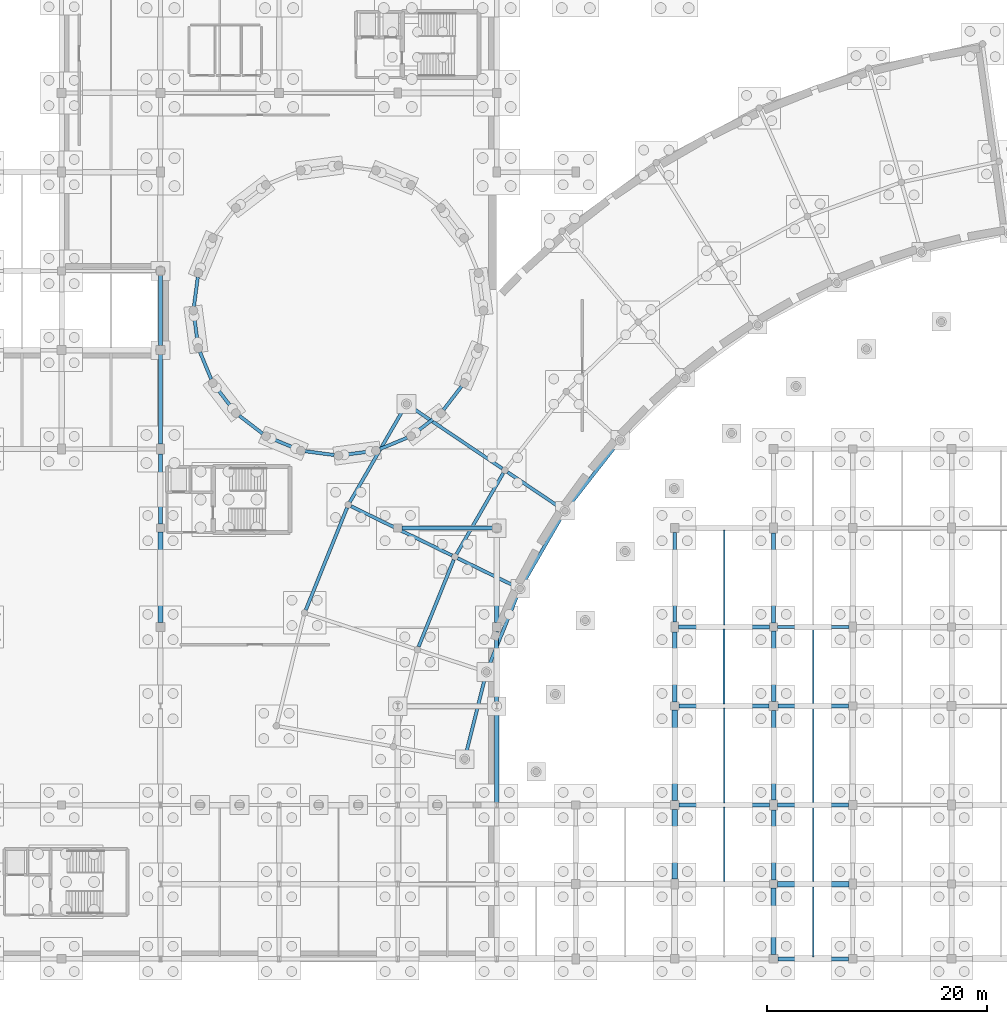
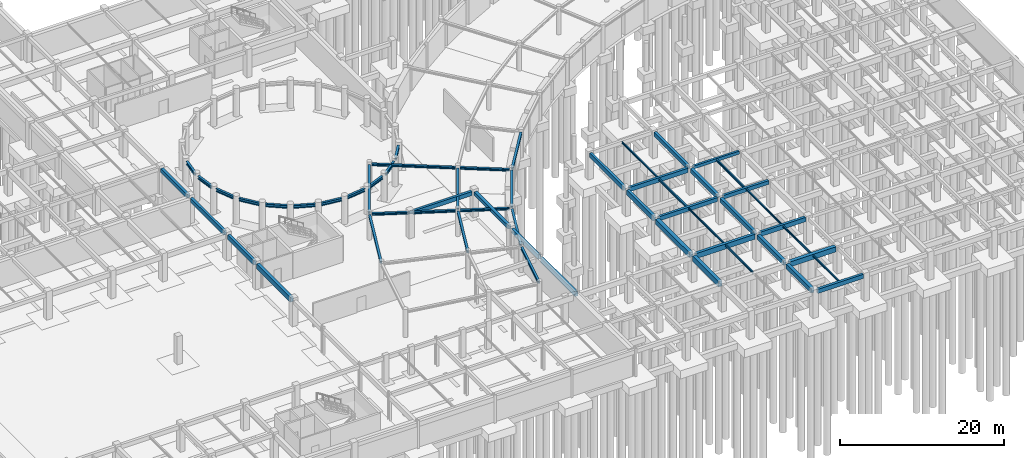
# One storey, part 20 of 42: 56 beams.
"""IFC4 building model written with IfcOpenShell, lengths in metres."""

from ifc_helpers import new_model, si_unit, direction, frame, origin, origin_2d, place, context, subcontext, project, spatial, rectangle, i_section, extrude, material, material_profile, profile_set, type_object, element, save


model = new_model("IFC4")

# Units and contexts
model_context = context("Model", 3, precision=1e-05, world=origin(), true_north=direction((0.0, 1.0)))
body_context = subcontext(model_context, "Body", "Model", "MODEL_VIEW")
ifc_project = project(units=[si_unit("LENGTHUNIT", "METRE"), si_unit("AREAUNIT", "SQUARE_METRE"), si_unit("VOLUMEUNIT", "CUBIC_METRE"), si_unit("PLANEANGLEUNIT", "RADIAN"), si_unit("MASSUNIT", "GRAM", prefix="KILO")], contexts=[model_context])

# Site, building, storey
site_placement = place(None, origin())
site = spatial("IfcSite", under=ifc_project, at=site_placement, CompositionType="ELEMENT")
building_placement = place(site_placement, origin())
building = spatial("IfcBuilding", under=site, at=building_placement, Name="Clarverna Civic Hall", CompositionType="ELEMENT")
storey_placement = place(building_placement, frame((0.0, 0.0, -4.199951171875)))
storey = spatial("IfcBuildingStorey", under=building, at=storey_placement, Name="B01", CompositionType="ELEMENT", Elevation=-4.199951171875)

# Beams
ifc_material_1 = material(Name="Concrete C35/45", Category="concrete")
ifc_material_profile_1 = material_profile(ifc_material_1, rectangle(XDim=0.5, YDim=0.800048828125, at=origin_2d()), Name="RC 500x800")
ifc_profile_set_1 = profile_set([ifc_material_profile_1], Name="Concrete C35/45")
beam_type_1 = type_object("IfcBeamType", Name="B-RC14", PredefinedType="BEAM", material=ifc_profile_set_1)
beam_1_placement = place(storey_placement, frame((113.39990234375, 7.25, 3.550048828125), z_axis=(0.0, 1.0, 0.0), x_axis=(-1.0, 0.0, 0.0)))
element("IfcBeam", 1, at=beam_1_placement, inside=storey, type_object=beam_type_1, Name="B-RC14-013", PredefinedType="BEAM", context=body_context, shape_type="SweptSolid", body=[
    extrude(rectangle(XDim=0.5, YDim=0.800048828125, at=origin_2d()), origin(), (0.0, 0.0, 1.0), 6.35009765625),
])
ifc_material_profile_2 = material_profile(ifc_material_1, rectangle(XDim=0.5, YDim=0.75, at=origin_2d()), Name="RC 500x750")
ifc_profile_set_2 = profile_set([ifc_material_profile_2], Name="Concrete C35/45")
beam_type_2 = type_object("IfcBeamType", Name="B-RC15", PredefinedType="BEAM", material=ifc_profile_set_2)
beam_2_placement = place(storey_placement, frame((122.77490234375, 6.800048828125, 3.574951171875), z_axis=(1.0, 0.0, 0.0), x_axis=(0.0, 1.0, 0.0)))
element("IfcBeam", 2, at=beam_2_placement, inside=storey, type_object=beam_type_2, Name="B-RC15-001", PredefinedType="BEAM", context=body_context, shape_type="SweptSolid", body=[
    extrude(rectangle(XDim=0.5, YDim=0.75, at=origin_2d()), origin(), (0.0, 0.0, 1.0), 6.47509765625),
])
beam_3_placement = place(storey_placement, frame((113.39990234375, 14.39990234375, 3.574951171875), z_axis=(0.0, 1.0, 0.0), x_axis=(-1.0, 0.0, 0.0)))
element("IfcBeam", 3, at=beam_3_placement, inside=storey, type_object=beam_type_2, Name="B-RC15-013", PredefinedType="BEAM", context=body_context, shape_type="SweptSolid", body=[
    extrude(rectangle(XDim=0.5, YDim=0.75, at=origin_2d()), origin(), (0.0, 0.0, 1.0), 8.22509765625),
])
ifc_material_profile_3 = material_profile(ifc_material_1, rectangle(XDim=0.39990234375, YDim=0.75, at=origin_2d()), Name="RC 400x750")
ifc_profile_set_3 = profile_set([ifc_material_profile_3], Name="Concrete C35/45")
beam_type_3 = type_object("IfcBeamType", Name="B-RC16", PredefinedType="BEAM", material=ifc_profile_set_3)
beam_4_placement = place(storey_placement, frame((113.800048828125, 14.0, 3.574951171875), z_axis=(1.0, 0.0, 0.0), x_axis=(0.0, 1.0, 0.0)))
element("IfcBeam", 4, at=beam_4_placement, inside=storey, type_object=beam_type_3, Name="B-RC16-002", PredefinedType="BEAM", context=body_context, shape_type="SweptSolid", body=[
    extrude(rectangle(XDim=0.39990234375, YDim=0.75, at=origin_2d()), origin(), (0.0, 0.0, 1.0), 8.25),
])
beam_5_placement = place(storey_placement, frame((113.39990234375, 23.375, 3.574951171875), z_axis=(0.0, 1.0, 0.0), x_axis=(-1.0, 0.0, 0.0)))
element("IfcBeam", 5, at=beam_5_placement, inside=storey, type_object=beam_type_3, Name="B-RC16-013", PredefinedType="BEAM", context=body_context, shape_type="SweptSolid", body=[
    extrude(rectangle(XDim=0.39990234375, YDim=0.75, at=origin_2d()), origin(), (0.0, 0.0, 1.0), 6.375),
])
ifc_material_profile_4 = material_profile(ifc_material_1, rectangle(XDim=0.35009765625, YDim=0.64990234375, at=origin_2d()), Name="RC 350x650")
ifc_profile_set_4 = profile_set([ifc_material_profile_4], Name="Concrete C35/45")
beam_type_4 = type_object("IfcBeamType", Name="B-RC17", PredefinedType="BEAM", material=ifc_profile_set_4)
beam_6_placement = place(storey_placement, frame((122.75, 14.0, 3.625), z_axis=(1.0, 0.0, 0.0), x_axis=(0.0, 1.0, 0.0)))
element("IfcBeam", 6, at=beam_6_placement, inside=storey, type_object=beam_type_4, Name="B-RC17-002", PredefinedType="BEAM", context=body_context, shape_type="SweptSolid", body=[
    extrude(rectangle(XDim=0.35009765625, YDim=0.64990234375, at=origin_2d()), origin(), (0.0, 0.0, 1.0), 6.449951171875),
])
beam_7_placement = place(storey_placement, frame((113.75, 30.199951171875, 3.625), z_axis=(1.0, 0.0, 0.0), x_axis=(0.0, 1.0, 0.0)))
element("IfcBeam", 7, at=beam_7_placement, inside=storey, type_object=beam_type_4, Name="B-RC17-003", PredefinedType="BEAM", context=body_context, shape_type="SweptSolid", body=[
    extrude(rectangle(XDim=0.35009765625, YDim=0.64990234375, at=origin_2d()), origin(), (0.0, 0.0, 1.0), 8.27490234375),
])
beam_8_placement = place(storey_placement, frame((113.39990234375, 30.64990234375, 3.625), z_axis=(0.0, 1.0, 0.0), x_axis=(-1.0, 0.0, 0.0)))
element("IfcBeam", 8, at=beam_8_placement, inside=storey, type_object=beam_type_4, Name="B-RC17-013", PredefinedType="BEAM", context=body_context, shape_type="SweptSolid", body=[
    extrude(rectangle(XDim=0.35009765625, YDim=0.64990234375, at=origin_2d()), origin(), (0.0, 0.0, 1.0), 8.150146484375),
])
ifc_material_profile_5 = material_profile(ifc_material_1, rectangle(XDim=0.300048828125, YDim=0.449951171875, at=origin_2d()), Name="RC 300x450")
ifc_profile_set_5 = profile_set([ifc_material_profile_5], Name="Concrete C35/45")
beam_type_5 = type_object("IfcBeamType", Name="B-RC18", PredefinedType="BEAM", material=ifc_profile_set_5)
beam_9_placement = place(storey_placement, frame((122.77490234375, 30.199951171875, 3.724853515625), z_axis=(1.0, 0.0, 0.0), x_axis=(0.0, 1.0, 0.0)))
element("IfcBeam", 9, at=beam_9_placement, inside=storey, type_object=beam_type_5, Name="B-RC18-003", PredefinedType="BEAM", context=body_context, shape_type="SweptSolid", body=[
    extrude(rectangle(XDim=0.300048828125, YDim=0.449951171875, at=origin_2d()), origin(), (0.0, 0.0, 1.0), 6.47509765625),
])
ifc_material_profile_6 = material_profile(ifc_material_1, rectangle(XDim=0.449951171875, YDim=0.699951171875, at=origin_2d()), Name="RC 450x700")
ifc_profile_set_6 = profile_set([ifc_material_profile_6], Name="Concrete C35/45")
beam_type_6 = type_object("IfcBeamType", Name="B-RC4", PredefinedType="BEAM", material=ifc_profile_set_6)
beam_10_placement = place(storey_placement, frame((122.39990234375, 0.39990234375, 3.599853515625), z_axis=(0.0, 1.0, 0.0), x_axis=(-1.0, 0.0, 0.0)))
element("IfcBeam", 10, at=beam_10_placement, inside=storey, type_object=beam_type_6, Name="B-RC4-013", PredefinedType="BEAM", context=body_context, shape_type="SweptSolid", body=[
    extrude(rectangle(XDim=0.449951171875, YDim=0.699951171875, at=origin_2d()), origin(), (0.0, 0.0, 1.0), 6.025146484375),
])
ifc_material_profile_7 = material_profile(ifc_material_1, rectangle(XDim=0.39990234375, YDim=0.699951171875, at=origin_2d()), Name="RC 400x700")
ifc_profile_set_7 = profile_set([ifc_material_profile_7], Name="Concrete C35/45")
beam_type_7 = type_object("IfcBeamType", Name="B-RC5", PredefinedType="BEAM", material=ifc_profile_set_7)
beam_11_placement = place(storey_placement, frame((122.39990234375, 7.175048828125, 3.599853515625), z_axis=(0.0, 1.0, 0.0), x_axis=(-1.0, 0.0, 0.0)))
element("IfcBeam", 11, at=beam_11_placement, inside=storey, type_object=beam_type_7, Name="B-RC5-014", PredefinedType="BEAM", context=body_context, shape_type="SweptSolid", body=[
    extrude(rectangle(XDim=0.39990234375, YDim=0.699951171875, at=origin_2d()), origin(), (0.0, 0.0, 1.0), 6.375),
])
ifc_material_profile_8 = material_profile(ifc_material_1, rectangle(XDim=0.39990234375, YDim=0.64990234375, at=origin_2d()), Name="RC 400x650")
ifc_profile_set_8 = profile_set([ifc_material_profile_8], Name="Concrete C35/45")
beam_type_8 = type_object("IfcBeamType", Name="B-RC6", PredefinedType="BEAM", material=ifc_profile_set_8)
beam_12_placement = place(storey_placement, frame((122.39990234375, 14.449951171875, 3.625), z_axis=(0.0, 1.0, 0.0), x_axis=(-1.0, 0.0, 0.0)))
element("IfcBeam", 12, at=beam_12_placement, inside=storey, type_object=beam_type_8, Name="B-RC6-012", PredefinedType="BEAM", context=body_context, shape_type="SweptSolid", body=[
    extrude(rectangle(XDim=0.39990234375, YDim=0.64990234375, at=origin_2d()), origin(), (0.0, 0.0, 1.0), 8.150146484375),
])
ifc_material_profile_9 = material_profile(ifc_material_1, rectangle(XDim=0.39990234375, YDim=0.60009765625, at=origin_2d()), Name="RC 400x600")
ifc_profile_set_9 = profile_set([ifc_material_profile_9], Name="Concrete C35/45")
beam_type_9 = type_object("IfcBeamType", Name="B-RC7", PredefinedType="BEAM", material=ifc_profile_set_9)
beam_13_placement = place(storey_placement, frame((122.39990234375, 23.39990234375, 3.64990234375), z_axis=(0.0, 1.0, 0.0), x_axis=(-1.0, 0.0, 0.0)))
element("IfcBeam", 13, at=beam_13_placement, inside=storey, type_object=beam_type_9, Name="B-RC7-013", PredefinedType="BEAM", context=body_context, shape_type="SweptSolid", body=[
    extrude(rectangle(XDim=0.39990234375, YDim=0.60009765625, at=origin_2d()), origin(), (0.0, 0.0, 1.0), 6.425048828125),
])
ifc_material_profile_10 = material_profile(ifc_material_1, rectangle(XDim=0.35009765625, YDim=0.60009765625, at=origin_2d()), Name="RC 350x600")
ifc_profile_set_10 = profile_set([ifc_material_profile_10], Name="Concrete C35/45")
beam_type_10 = type_object("IfcBeamType", Name="B-RC8", PredefinedType="BEAM", material=ifc_profile_set_10)
beam_14_placement = place(storey_placement, frame((113.77490234375, 23.0, 3.64990234375), z_axis=(1.0, 0.0, 0.0), x_axis=(0.0, 1.0, 0.0)))
element("IfcBeam", 14, at=beam_14_placement, inside=storey, type_object=beam_type_10, Name="B-RC8-002", PredefinedType="BEAM", context=body_context, shape_type="SweptSolid", body=[
    extrude(rectangle(XDim=0.35009765625, YDim=0.60009765625, at=origin_2d()), origin(), (0.0, 0.0, 1.0), 8.22509765625),
])
beam_15_placement = place(storey_placement, frame((88.574951171875, 39.199951171875, 3.5400390625), z_axis=(1.0, 0.0, 0.0), x_axis=(0.0, 1.0, 0.0)))
element("IfcBeam", 15, at=beam_15_placement, inside=storey, type_object=beam_type_10, Name="B-RC8-003", PredefinedType="BEAM", context=body_context, shape_type="SweptSolid", body=[
    extrude(rectangle(XDim=0.35009765625, YDim=0.60009765625, at=origin_2d()), origin(), (0.0, 0.0, 1.0), 8.25),
])
beam_16_placement = place(storey_placement, frame((122.39990234375, 30.574951171875, 3.64990234375), z_axis=(0.0, 1.0, 0.0), x_axis=(-1.0, 0.0, 0.0)))
element("IfcBeam", 16, at=beam_16_placement, inside=storey, type_object=beam_type_10, Name="B-RC8-013", PredefinedType="BEAM", context=body_context, shape_type="SweptSolid", body=[
    extrude(rectangle(XDim=0.35009765625, YDim=0.60009765625, at=origin_2d()), origin(), (0.0, 0.0, 1.0), 8.175048828125),
])
ifc_material_profile_11 = material_profile(ifc_material_1, rectangle(XDim=0.35009765625, YDim=0.550048828125, at=origin_2d()), Name="RC 350x550")
ifc_profile_set_11 = profile_set([ifc_material_profile_11], Name="Concrete C35/45")
beam_type_11 = type_object("IfcBeamType", Name="B-RC9", PredefinedType="BEAM", material=ifc_profile_set_11)
beam_17_placement = place(storey_placement, frame((122.800048828125, 23.0, 3.675048828125), z_axis=(1.0, 0.0, 0.0), x_axis=(0.0, 1.0, 0.0)))
element("IfcBeam", 17, at=beam_17_placement, inside=storey, type_object=beam_type_11, Name="B-RC9-003", PredefinedType="BEAM", context=body_context, shape_type="SweptSolid", body=[
    extrude(rectangle(XDim=0.35009765625, YDim=0.550048828125, at=origin_2d()), origin(), (0.0, 0.0, 1.0), 6.425048828125),
])
ifc_material_profile_12 = material_profile(ifc_material_1, rectangle(XDim=0.419921875, YDim=0.719970703125, at=origin_2d()), Name="RC 420x720")
ifc_profile_set_12 = profile_set([ifc_material_profile_12], Name="Concrete C35/45")
beam_type_12 = type_object("IfcBeamType", Name="B-SP1", PredefinedType="SPANDREL", material=ifc_profile_set_12)
beam_18_placement = place(storey_placement, frame((66.60009765625, 30.60009765625, 3.47998046875), z_axis=(0.0, 1.0, 0.0), x_axis=(-1.0, 0.0, 0.0)))
element("IfcBeam", 18, at=beam_18_placement, inside=storey, type_object=beam_type_12, Name="B-SP1-023", PredefinedType="SPANDREL", context=body_context, shape_type="SweptSolid", body=[
    extrude(rectangle(XDim=0.419921875, YDim=0.719970703125, at=origin_2d()), origin(), (0.0, 0.0, 1.0), 8.224853515625),
])
ifc_material_profile_13 = material_profile(ifc_material_1, rectangle(XDim=0.3798828125, YDim=0.679931640625, at=origin_2d()), Name="RC 380x680")
ifc_profile_set_13 = profile_set([ifc_material_profile_13], Name="Concrete C35/45")
beam_type_13 = type_object("IfcBeamType", Name="B-SP2", PredefinedType="SPANDREL", material=ifc_profile_set_13)
beam_19_placement = place(storey_placement, frame((66.60009765625, 39.574951171875, 3.5), z_axis=(0.0, 1.0, 0.0), x_axis=(-1.0, 0.0, 0.0)))
element("IfcBeam", 19, at=beam_19_placement, inside=storey, type_object=beam_type_13, Name="B-SP2-023", PredefinedType="SPANDREL", context=body_context, shape_type="SweptSolid", body=[
    extrude(rectangle(XDim=0.3798828125, YDim=0.679931640625, at=origin_2d()), origin(), (0.0, 0.0, 1.0), 6.375),
])
beam_20_placement = place(storey_placement, frame((97.199951171875, 14.25, 3.5), z_axis=(0.0, 1.0, 0.0), x_axis=(-1.0, 0.0, 0.0)))
element("IfcBeam", 20, at=beam_20_placement, inside=storey, type_object=beam_type_13, Name="B-SP2-026", PredefinedType="SPANDREL", context=body_context, shape_type="SweptSolid", body=[
    extrude(rectangle(XDim=0.3798828125, YDim=0.679931640625, at=origin_2d()), origin(), (0.0, 0.0, 1.0), 8.5),
])
ifc_material_profile_14 = material_profile(ifc_material_1, rectangle(XDim=0.360107421875, YDim=0.6201171875, at=origin_2d()), Name="RC 360x620")
ifc_profile_set_14 = profile_set([ifc_material_profile_14], Name="Concrete C35/45")
beam_type_14 = type_object("IfcBeamType", Name="B-SP3", PredefinedType="SPANDREL", material=ifc_profile_set_14)
beam_21_placement = place(storey_placement, frame((122.800048828125, 0.0, 3.639892578125), z_axis=(1.0, 0.0, 0.0), x_axis=(0.0, 1.0, 0.0)))
element("IfcBeam", 21, at=beam_21_placement, inside=storey, type_object=beam_type_14, Name="B-SP3-004", PredefinedType="SPANDREL", context=body_context, shape_type="SweptSolid", body=[
    extrude(rectangle(XDim=0.360107421875, YDim=0.6201171875, at=origin_2d()), origin(), (0.0, 0.0, 1.0), 6.425048828125),
])
beam_22_placement = place(storey_placement, frame((66.60009765625, 46.85009765625, 3.530029296875), z_axis=(0.0, 1.0, 0.0), x_axis=(-1.0, 0.0, 0.0)))
element("IfcBeam", 22, at=beam_22_placement, inside=storey, type_object=beam_type_14, Name="B-SP3-023", PredefinedType="SPANDREL", context=body_context, shape_type="SweptSolid", body=[
    extrude(rectangle(XDim=0.360107421875, YDim=0.6201171875, at=origin_2d()), origin(), (0.0, 0.0, 1.0), 8.14990234375),
])
beam_23_placement = place(storey_placement, frame((97.199951171875, 23.25, 3.530029296875), z_axis=(0.0, 1.0, 0.0), x_axis=(-1.0, 0.0, 0.0)))
element("IfcBeam", 23, at=beam_23_placement, inside=storey, type_object=beam_type_14, Name="B-SP3-026", PredefinedType="SPANDREL", context=body_context, shape_type="SweptSolid", body=[
    extrude(rectangle(XDim=0.360107421875, YDim=0.6201171875, at=origin_2d()), origin(), (0.0, 0.0, 1.0), 6.550048828125),
])
ifc_material_profile_15 = material_profile(ifc_material_1, rectangle(XDim=0.39990234375, YDim=0.56005859375, at=origin_2d()), Name="RC 400x560")
ifc_profile_set_15 = profile_set([ifc_material_profile_15], Name="Concrete C35/45")
beam_type_15 = type_object("IfcBeamType", Name="B-SP4", PredefinedType="SPANDREL", material=ifc_profile_set_15)
beam_24_placement = place(storey_placement, frame((66.60009765625, 55.800048828125, 3.56005859375), z_axis=(0.0, 1.0, 0.0), x_axis=(-1.0, 0.0, 0.0)))
element("IfcBeam", 24, at=beam_24_placement, inside=storey, type_object=beam_type_15, Name="B-SP4-023", PredefinedType="SPANDREL", context=body_context, shape_type="SweptSolid", body=[
    extrude(rectangle(XDim=0.39990234375, YDim=0.56005859375, at=origin_2d()), origin(), (0.0, 0.0, 1.0), 6.425048828125),
])
beam_25_placement = place(storey_placement, frame((97.199951171875, 30.60009765625, 3.56005859375), z_axis=(0.0, 1.0, 0.0), x_axis=(-1.0, 0.0, 0.0)))
element("IfcBeam", 25, at=beam_25_placement, inside=storey, type_object=beam_type_15, Name="B-SP4-026", PredefinedType="SPANDREL", context=body_context, shape_type="SweptSolid", body=[
    extrude(rectangle(XDim=0.39990234375, YDim=0.56005859375, at=origin_2d()), origin(), (0.0, 0.0, 1.0), 8.224853515625),
])
ifc_material_2 = material(Name="Steel S355", Category="steel")
ifc_material_profile_16 = material_profile(ifc_material_2, i_section(OverallWidth=0.300048828125, OverallDepth=0.43994140625, WebThickness=0.011474609375, FlangeThickness=0.02099609375, FilletRadius=0.027099609375, at=origin_2d()), Name="HEA 450")
ifc_profile_set_16 = profile_set([ifc_material_profile_16], Name="Steel S355")
beam_type_16 = type_object("IfcBeamType", Name="B-ST5", PredefinedType="BEAM", material=ifc_profile_set_16)
for number, where, z_axis, x_axis, name in (
    (26, (69.99951171875, 62.03466796875, 3.619873046875), (-0.130466312892, -0.991452742797, 0.0), (0.991452742797, -0.130466312892, 0.0), "B-ST5-012"),
    (27, (69.650390625, 58.618408203125, 3.619873046875), (0.130466312892, -0.991452742797, 0.0), (0.991452742797, 0.130466312892, 0.0), "B-ST5-013"),
    (28, (70.197021484375, 55.227783203125, 3.619873046875), (0.382735878004, -0.923857807072, 0.0), (0.923857807072, 0.382735878004, 0.0), "B-ST5-014"),
):
    element("IfcBeam", number, at=place(storey_placement, frame(where, z_axis=z_axis, x_axis=x_axis)), inside=storey, type_object=beam_type_16, Name=name, PredefinedType="BEAM", context=body_context, shape_type="SweptSolid", body=[
        extrude(i_section(OverallWidth=0.300048828125, OverallDepth=0.43994140625, WebThickness=0.011474609375, FlangeThickness=0.02099609375, FilletRadius=0.027099609375, at=origin_2d()), origin(), (0.0, 0.0, 1.0), 2.676025390625),
    ])
beam_26_placement = place(storey_placement, frame((71.602783203125, 52.094482421875, 3.619873046875), z_axis=(0.60876670321, -0.793349293227, 0.0), x_axis=(0.793349293227, 0.60876670321, 0.0)))
element("IfcBeam", 29, at=beam_26_placement, inside=storey, type_object=beam_type_16, Name="B-ST5-015", PredefinedType="BEAM", context=body_context, shape_type="SweptSolid", body=[
    extrude(i_section(OverallWidth=0.300048828125, OverallDepth=0.43994140625, WebThickness=0.011474609375, FlangeThickness=0.02099609375, FilletRadius=0.027099609375, at=origin_2d()), origin(), (0.0, 0.0, 1.0), 2.67578125),
])
beam_27_placement = place(storey_placement, frame((73.771484375, 49.431884765625, 3.619873046875), z_axis=(0.793383103562, -0.608722638796, 0.0), x_axis=(0.608722638796, 0.793383103562, 0.0)))
element("IfcBeam", 30, at=beam_27_placement, inside=storey, type_object=beam_type_16, Name="B-ST5-016", PredefinedType="BEAM", context=body_context, shape_type="SweptSolid", body=[
    extrude(i_section(OverallWidth=0.300048828125, OverallDepth=0.43994140625, WebThickness=0.011474609375, FlangeThickness=0.02099609375, FilletRadius=0.027099609375, at=origin_2d()), origin(), (0.0, 0.0, 1.0), 2.676025390625),
])
for number, where, z_axis, x_axis, name in (
    (31, (76.5556640625, 47.421142578125, 3.619873046875), (0.923890065448, -0.382658002616, 0.0), (0.382658002616, 0.923890065448, 0.0), "B-ST5-017"),
    (32, (79.765380859375, 46.199462890625, 3.619873046875), (0.991451189631, -0.13047811533, 0.0), (0.13047811533, 0.991451189631, 0.0), "B-ST5-018"),
):
    element("IfcBeam", number, at=place(storey_placement, frame(where, z_axis=z_axis, x_axis=x_axis)), inside=storey, type_object=beam_type_16, Name=name, PredefinedType="BEAM", context=body_context, shape_type="SweptSolid", body=[
        extrude(i_section(OverallWidth=0.300048828125, OverallDepth=0.43994140625, WebThickness=0.011474609375, FlangeThickness=0.02099609375, FilletRadius=0.027099609375, at=origin_2d()), origin(), (0.0, 0.0, 1.0), 2.67578125),
    ])
beam_28_placement = place(storey_placement, frame((83.181640625, 45.850341796875, 3.619873046875), z_axis=(0.991452742797, 0.130466312892, 0.0), x_axis=(-0.130466312892, 0.991452742797, 0.0)))
element("IfcBeam", 33, at=beam_28_placement, inside=storey, type_object=beam_type_16, Name="B-ST5-019", PredefinedType="BEAM", context=body_context, shape_type="SweptSolid", body=[
    extrude(i_section(OverallWidth=0.300048828125, OverallDepth=0.43994140625, WebThickness=0.011474609375, FlangeThickness=0.02099609375, FilletRadius=0.027099609375, at=origin_2d()), origin(), (0.0, 0.0, 1.0), 2.676025390625),
])
beam_29_placement = place(storey_placement, frame((86.572021484375, 46.397216796875, 3.619873046875), z_axis=(0.923890065448, 0.382658002616, 0.0), x_axis=(-0.382658002616, 0.923890065448, 0.0)))
element("IfcBeam", 34, at=beam_29_placement, inside=storey, type_object=beam_type_16, Name="B-ST5-020", PredefinedType="BEAM", context=body_context, shape_type="SweptSolid", body=[
    extrude(i_section(OverallWidth=0.300048828125, OverallDepth=0.43994140625, WebThickness=0.011474609375, FlangeThickness=0.02099609375, FilletRadius=0.027099609375, at=origin_2d()), origin(), (0.0, 0.0, 1.0), 2.67578125),
])
beam_30_placement = place(storey_placement, frame((89.705322265625, 47.802978515625, 3.619873046875), z_axis=(0.793383103562, 0.608722638796, 0.0), x_axis=(-0.608722638796, 0.793383103562, 0.0)))
element("IfcBeam", 35, at=beam_30_placement, inside=storey, type_object=beam_type_16, Name="B-ST5-021", PredefinedType="BEAM", context=body_context, shape_type="SweptSolid", body=[
    extrude(i_section(OverallWidth=0.300048828125, OverallDepth=0.43994140625, WebThickness=0.011474609375, FlangeThickness=0.02099609375, FilletRadius=0.027099609375, at=origin_2d()), origin(), (0.0, 0.0, 1.0), 2.676025390625),
])
beam_31_placement = place(storey_placement, frame((92.3681640625, 49.9716796875, 3.619873046875), z_axis=(0.60876670321, 0.793349293227, 0.0), x_axis=(-0.793349293227, 0.60876670321, 0.0)))
element("IfcBeam", 36, at=beam_31_placement, inside=storey, type_object=beam_type_16, Name="B-ST5-022", PredefinedType="BEAM", context=body_context, shape_type="SweptSolid", body=[
    extrude(i_section(OverallWidth=0.300048828125, OverallDepth=0.43994140625, WebThickness=0.011474609375, FlangeThickness=0.02099609375, FilletRadius=0.027099609375, at=origin_2d()), origin(), (0.0, 0.0, 1.0), 2.67578125),
])
ifc_material_profile_17 = material_profile(ifc_material_2, i_section(OverallWidth=0.300048828125, OverallDepth=0.330078125, WebThickness=0.009521484375, FlangeThickness=0.0166015625, FilletRadius=0.027099609375, at=origin_2d()), Name="HEA 340")
ifc_profile_set_17 = profile_set([ifc_material_profile_17], Name="Steel S355")
beam_type_17 = type_object("IfcBeamType", Name="B-ST8", PredefinedType="BEAM", material=ifc_profile_set_17)
beam_32_placement = place(storey_placement, frame((108.276123046875, 46.986572265625, 3.675048828125), z_axis=(-0.615641550165, -0.788026320443, 0.0), x_axis=(0.788026320443, -0.615641550165, 0.0)))
element("IfcBeam", 37, at=beam_32_placement, inside=storey, type_object=beam_type_17, Name="B-ST8-006", PredefinedType="BEAM", context=body_context, shape_type="SweptSolid", body=[
    extrude(i_section(OverallWidth=0.300048828125, OverallDepth=0.330078125, WebThickness=0.009521484375, FlangeThickness=0.0166015625, FilletRadius=0.027099609375, at=origin_2d()), origin(), (0.0, 0.0, 1.0), 7.605224609375),
])
for number, where, z_axis, x_axis, name in (
    (38, (103.27587890625, 40.52197265625, 3.675048828125), (-0.499991985073, -0.866030031155, 0.0), (0.866030031155, -0.499991985073, 0.0), "B-ST8-007"),
    (39, (99.223876953125, 33.42431640625, 3.675048828125), (-0.374581936133, -0.927193816374, 0.0), (0.927193816374, -0.374581936133, 0.0), "B-ST8-008"),
    (40, (96.19921875, 25.831787109375, 3.675048828125), (-0.241946429645, -0.970289608922, 0.0), (0.970289608922, -0.241946429645, 0.0), "B-ST8-009"),
):
    element("IfcBeam", number, at=place(storey_placement, frame(where, z_axis=z_axis, x_axis=x_axis)), inside=storey, type_object=beam_type_17, Name=name, PredefinedType="BEAM", context=body_context, shape_type="SweptSolid", body=[
        extrude(i_section(OverallWidth=0.300048828125, OverallDepth=0.330078125, WebThickness=0.009521484375, FlangeThickness=0.0166015625, FilletRadius=0.027099609375, at=origin_2d()), origin(), (0.0, 0.0, 1.0), 7.60546875),
    ])
for number, where, z_axis, x_axis, name in (
    (41, (97.80419921875, 44.212646484375, 3.675048828125), (-0.500000882812, -0.866024894092, 0.0), (0.866024894092, -0.500000882812, 0.0), "B-ST8-016"),
    (42, (93.291748046875, 36.317626953125, 3.675048828125), (-0.374587560071, -0.92719154431, 0.0), (0.92719154431, -0.374587560071, 0.0), "B-ST8-017"),
):
    element("IfcBeam", number, at=place(storey_placement, frame(where, z_axis=z_axis, x_axis=x_axis)), inside=storey, type_object=beam_type_17, Name=name, PredefinedType="BEAM", context=body_context, shape_type="SweptSolid", body=[
        extrude(i_section(OverallWidth=0.300048828125, OverallDepth=0.330078125, WebThickness=0.009521484375, FlangeThickness=0.0166015625, FilletRadius=0.027099609375, at=origin_2d()), origin(), (0.0, 0.0, 1.0), 8.5263671875),
    ])
beam_33_placement = place(storey_placement, frame((88.8505859375, 50.251953125, 3.675048828125), z_axis=(-0.499983646225, -0.866034845435, 0.0), x_axis=(0.866034845435, -0.499983646225, 0.0)))
element("IfcBeam", 43, at=beam_33_placement, inside=storey, type_object=beam_type_17, Name="B-ST8-023", PredefinedType="BEAM", context=body_context, shape_type="SweptSolid", body=[
    extrude(i_section(OverallWidth=0.300048828125, OverallDepth=0.330078125, WebThickness=0.009521484375, FlangeThickness=0.0166015625, FilletRadius=0.027099609375, at=origin_2d()), origin(), (0.0, 0.0, 1.0), 10.032958984375),
])
beam_34_placement = place(storey_placement, frame((83.5849609375, 41.052001953125, 3.675048828125), z_axis=(-0.374614724897, -0.927180569194, 0.0), x_axis=(0.927180569194, -0.374614724897, 0.0)))
element("IfcBeam", 44, at=beam_34_placement, inside=storey, type_object=beam_type_17, Name="B-ST8-024", PredefinedType="BEAM", context=body_context, shape_type="SweptSolid", body=[
    extrude(i_section(OverallWidth=0.300048828125, OverallDepth=0.330078125, WebThickness=0.009521484375, FlangeThickness=0.0166015625, FilletRadius=0.027099609375, at=origin_2d()), origin(), (0.0, 0.0, 1.0), 10.033203125),
])
ifc_material_profile_18 = material_profile(ifc_material_2, i_section(OverallWidth=0.300048828125, OverallDepth=0.31005859375, WebThickness=0.009033203125, FlangeThickness=0.015380859375, FilletRadius=0.027099609375, at=origin_2d()), Name="HEA 320")
ifc_profile_set_18 = profile_set([ifc_material_profile_18], Name="Steel S355")
beam_type_18 = type_object("IfcBeamType", Name="B-ST9", PredefinedType="BEAM", material=ifc_profile_set_18)
beam_35_placement = place(storey_placement, frame((103.18212890625, 40.927978515625, 3.68505859375), z_axis=(-0.829023239564, 0.559214152416, 0.0), x_axis=(-0.559214152416, -0.829023239564, 0.0)))
element("IfcBeam", 45, at=beam_35_placement, inside=storey, type_object=beam_type_18, Name="B-ST9-012", PredefinedType="BEAM", context=body_context, shape_type="SweptSolid", body=[
    extrude(i_section(OverallWidth=0.300048828125, OverallDepth=0.31005859375, WebThickness=0.009033203125, FlangeThickness=0.015380859375, FilletRadius=0.027099609375, at=origin_2d()), origin(), (0.0, 0.0, 1.0), 6.030029296875),
])
beam_36_placement = place(storey_placement, frame((97.71044921875, 44.618896484375, 3.68505859375), z_axis=(-0.829038422899, 0.559191642782, 0.0), x_axis=(-0.559191642782, -0.829038422899, 0.0)))
element("IfcBeam", 46, at=beam_36_placement, inside=storey, type_object=beam_type_18, Name="B-ST9-013", PredefinedType="BEAM", context=body_context, shape_type="SweptSolid", body=[
    extrude(i_section(OverallWidth=0.300048828125, OverallDepth=0.31005859375, WebThickness=0.009033203125, FlangeThickness=0.015380859375, FilletRadius=0.027099609375, at=origin_2d()), origin(), (0.0, 0.0, 1.0), 10.22998046875),
])
beam_37_placement = place(storey_placement, frame((99.074462890625, 33.8134765625, 3.68505859375), z_axis=(-0.89879684968, 0.438365398959, 0.0), x_axis=(-0.438365398959, -0.89879684968, 0.0)))
element("IfcBeam", 47, at=beam_37_placement, inside=storey, type_object=beam_type_18, Name="B-ST9-014", PredefinedType="BEAM", context=body_context, shape_type="SweptSolid", body=[
    extrude(i_section(OverallWidth=0.300048828125, OverallDepth=0.31005859375, WebThickness=0.009033203125, FlangeThickness=0.015380859375, FilletRadius=0.027099609375, at=origin_2d()), origin(), (0.0, 0.0, 1.0), 6.030029296875),
])
beam_38_placement = place(storey_placement, frame((93.142333984375, 36.706787109375, 3.68505859375), z_axis=(-0.898784730169, 0.438390247171, 0.0), x_axis=(-0.438390247171, -0.898784730169, 0.0)))
element("IfcBeam", 48, at=beam_38_placement, inside=storey, type_object=beam_type_18, Name="B-ST9-015", PredefinedType="BEAM", context=body_context, shape_type="SweptSolid", body=[
    extrude(i_section(OverallWidth=0.300048828125, OverallDepth=0.31005859375, WebThickness=0.009033203125, FlangeThickness=0.015380859375, FilletRadius=0.027099609375, at=origin_2d()), origin(), (0.0, 0.0, 1.0), 10.229736328125),
])
ifc_material_profile_19 = material_profile(ifc_material_2, i_section(OverallWidth=0.169921875, OverallDepth=0.360107421875, WebThickness=0.008056640625, FlangeThickness=0.0126953125, FilletRadius=0.01806640625, at=origin_2d()), Name="IPE 360")
ifc_profile_set_19 = profile_set([ifc_material_profile_19], Name="Steel S355")
beam_type_19 = type_object("IfcBeamType", Name="J-ST1", PredefinedType="JOIST", material=ifc_profile_set_19)
beam_39_placement = place(storey_placement, frame((117.89990234375, 23.175048828125, 3.77001953125), z_axis=(0.0, 1.0, 0.0), x_axis=(-1.0, 0.0, 0.0)))
element("IfcBeam", 49, at=beam_39_placement, inside=storey, type_object=beam_type_19, Name="J-ST1-008", PredefinedType="JOIST", context=body_context, shape_type="SweptSolid", body=[
    extrude(i_section(OverallWidth=0.169921875, OverallDepth=0.360107421875, WebThickness=0.008056640625, FlangeThickness=0.0126953125, FilletRadius=0.01806640625, at=origin_2d()), origin(), (0.0, 0.0, 1.0), 6.849853515625),
])
ifc_material_profile_20 = material_profile(ifc_material_2, i_section(OverallWidth=0.159912109375, OverallDepth=0.330078125, WebThickness=0.007568359375, FlangeThickness=0.011474609375, FilletRadius=0.01806640625, at=origin_2d()), Name="IPE 330")
ifc_profile_set_20 = profile_set([ifc_material_profile_20], Name="Steel S355")
beam_type_20 = type_object("IfcBeamType", Name="J-ST2", PredefinedType="JOIST", material=ifc_profile_set_20)
beam_40_placement = place(storey_placement, frame((117.89990234375, 7.050048828125, 3.784912109375), z_axis=(0.0, 1.0, 0.0), x_axis=(-1.0, 0.0, 0.0)))
element("IfcBeam", 50, at=beam_40_placement, inside=storey, type_object=beam_type_20, Name="J-ST2-005", PredefinedType="JOIST", context=body_context, shape_type="SweptSolid", body=[
    extrude(i_section(OverallWidth=0.159912109375, OverallDepth=0.330078125, WebThickness=0.007568359375, FlangeThickness=0.011474609375, FilletRadius=0.01806640625, at=origin_2d()), origin(), (0.0, 0.0, 1.0), 6.75),
])
beam_41_placement = place(storey_placement, frame((126.0, 23.175048828125, 3.784912109375), z_axis=(0.0, 1.0, 0.0), x_axis=(-1.0, 0.0, 0.0)))
element("IfcBeam", 51, at=beam_41_placement, inside=storey, type_object=beam_type_20, Name="J-ST2-008", PredefinedType="JOIST", context=body_context, shape_type="SweptSolid", body=[
    extrude(i_section(OverallWidth=0.159912109375, OverallDepth=0.330078125, WebThickness=0.007568359375, FlangeThickness=0.011474609375, FilletRadius=0.01806640625, at=origin_2d()), origin(), (0.0, 0.0, 1.0), 6.875),
])
ifc_material_profile_21 = material_profile(ifc_material_2, i_section(OverallWidth=0.14990234375, OverallDepth=0.300048828125, WebThickness=0.007080078125, FlangeThickness=0.0107421875, FilletRadius=0.014892578125, at=origin_2d()), Name="IPE 300")
ifc_profile_set_21 = profile_set([ifc_material_profile_21], Name="Steel S355")
beam_type_21 = type_object("IfcBeamType", Name="J-ST3", PredefinedType="JOIST", material=ifc_profile_set_21)
beam_42_placement = place(storey_placement, frame((126.0, 7.050048828125, 3.800048828125), z_axis=(0.0, 1.0, 0.0), x_axis=(-1.0, 0.0, 0.0)))
element("IfcBeam", 52, at=beam_42_placement, inside=storey, type_object=beam_type_21, Name="J-ST3-005", PredefinedType="JOIST", context=body_context, shape_type="SweptSolid", body=[
    extrude(i_section(OverallWidth=0.14990234375, OverallDepth=0.300048828125, WebThickness=0.007080078125, FlangeThickness=0.0107421875, FilletRadius=0.014892578125, at=origin_2d()), origin(), (0.0, 0.0, 1.0), 6.77490234375),
])
ifc_material_profile_22 = material_profile(ifc_material_2, i_section(OverallWidth=0.135009765625, OverallDepth=0.27001953125, WebThickness=0.006591796875, FlangeThickness=0.01025390625, FilletRadius=0.014892578125, at=origin_2d()), Name="IPE 270")
ifc_profile_set_22 = profile_set([ifc_material_profile_22], Name="Steel S355")
beam_type_22 = type_object("IfcBeamType", Name="J-ST4", PredefinedType="JOIST", material=ifc_profile_set_22)
beam_43_placement = place(storey_placement, frame((126.0, 0.179931640625, 3.81494140625), z_axis=(0.0, 1.0, 0.0), x_axis=(-1.0, 0.0, 0.0)))
element("IfcBeam", 53, at=beam_43_placement, inside=storey, type_object=beam_type_22, Name="J-ST4-003", PredefinedType="JOIST", context=body_context, shape_type="SweptSolid", body=[
    extrude(i_section(OverallWidth=0.135009765625, OverallDepth=0.27001953125, WebThickness=0.006591796875, FlangeThickness=0.01025390625, FilletRadius=0.014892578125, at=origin_2d()), origin(), (0.0, 0.0, 1.0), 6.3701171875),
])
beam_44_placement = place(storey_placement, frame((117.89990234375, 14.199951171875, 3.81494140625), z_axis=(0.0, 1.0, 0.0), x_axis=(-1.0, 0.0, 0.0)))
element("IfcBeam", 54, at=beam_44_placement, inside=storey, type_object=beam_type_22, Name="J-ST4-007", PredefinedType="JOIST", context=body_context, shape_type="SweptSolid", body=[
    extrude(i_section(OverallWidth=0.135009765625, OverallDepth=0.27001953125, WebThickness=0.006591796875, FlangeThickness=0.01025390625, FilletRadius=0.014892578125, at=origin_2d()), origin(), (0.0, 0.0, 1.0), 8.625),
])
beam_45_placement = place(storey_placement, frame((117.89990234375, 30.375, 3.81494140625), z_axis=(0.0, 1.0, 0.0), x_axis=(-1.0, 0.0, 0.0)))
element("IfcBeam", 55, at=beam_45_placement, inside=storey, type_object=beam_type_22, Name="J-ST4-010", PredefinedType="JOIST", context=body_context, shape_type="SweptSolid", body=[
    extrude(i_section(OverallWidth=0.135009765625, OverallDepth=0.27001953125, WebThickness=0.006591796875, FlangeThickness=0.01025390625, FilletRadius=0.014892578125, at=origin_2d()), origin(), (0.0, 0.0, 1.0), 8.64990234375),
])
ifc_material_profile_23 = material_profile(ifc_material_2, i_section(OverallWidth=0.1201171875, OverallDepth=0.239990234375, WebThickness=0.006103515625, FlangeThickness=0.009765625, FilletRadius=0.014892578125, at=origin_2d()), Name="IPE 240")
ifc_profile_set_23 = profile_set([ifc_material_profile_23], Name="Steel S355")
beam_type_23 = type_object("IfcBeamType", Name="J-ST5", PredefinedType="JOIST", material=ifc_profile_set_23)
beam_46_placement = place(storey_placement, frame((126.0, 14.175048828125, 3.829833984375), z_axis=(0.0, 1.0, 0.0), x_axis=(-1.0, 0.0, 0.0)))
element("IfcBeam", 56, at=beam_46_placement, inside=storey, type_object=beam_type_23, Name="J-ST5-007", PredefinedType="JOIST", context=body_context, shape_type="SweptSolid", body=[
    extrude(i_section(OverallWidth=0.1201171875, OverallDepth=0.239990234375, WebThickness=0.006103515625, FlangeThickness=0.009765625, FilletRadius=0.014892578125, at=origin_2d()), origin(), (0.0, 0.0, 1.0), 8.64990234375),
])

save(model, "model.ifc")
